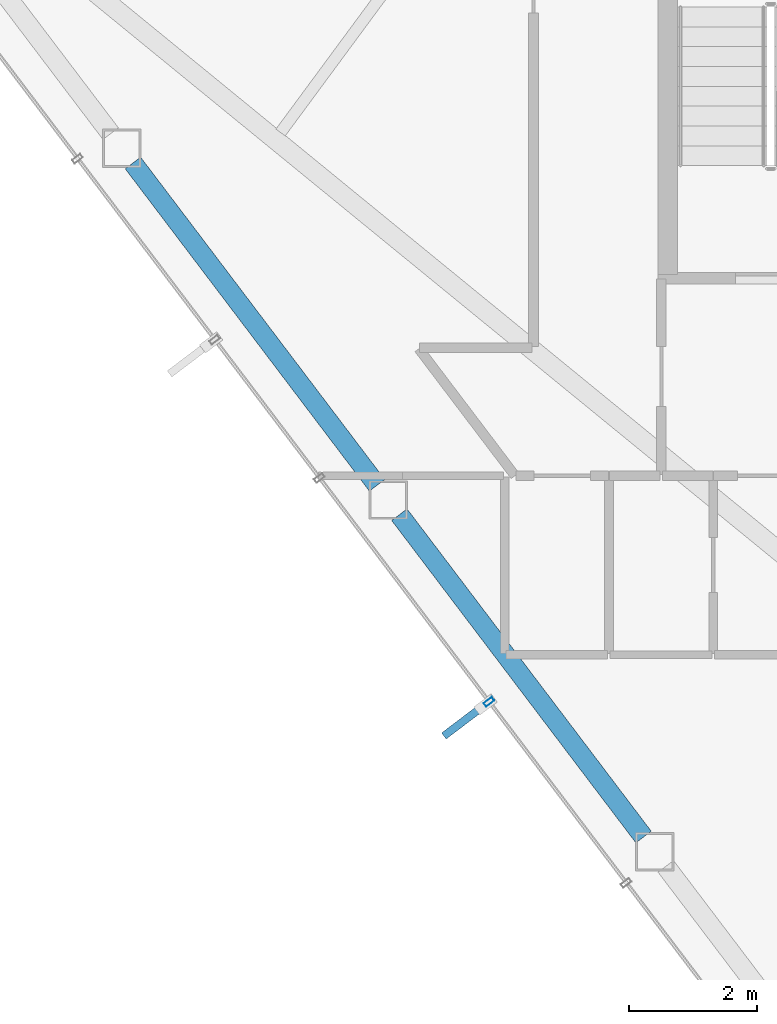
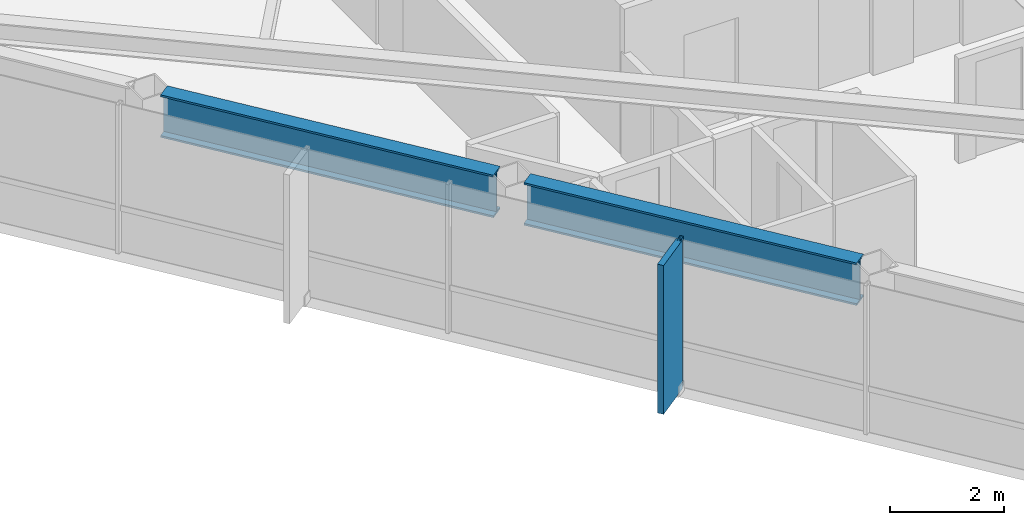
# One storey, part 3 of 28: 2 beams, 2 members, 1 element without a shape of its own.
"""IFC4 building model written with IfcOpenShell, lengths in metres."""

from ifc_helpers import new_model, si_unit, direction, frame, origin, origin_2d, place, context, subcontext, project, spatial, rectangle, hollow_rectangle, i_section, extrude, material, layer, layer_set, material_profile, profile_set, type_object, element, aggregate, save


model = new_model("IFC4")

# Units and contexts
model_context = context("Model", 3, precision=1e-05, world=origin(), true_north=direction((0.0, 1.0)))
body_context = subcontext(model_context, "Body", "Model", "MODEL_VIEW")
ifc_project = project(units=[si_unit("LENGTHUNIT", "METRE"), si_unit("AREAUNIT", "SQUARE_METRE"), si_unit("VOLUMEUNIT", "CUBIC_METRE"), si_unit("PLANEANGLEUNIT", "RADIAN"), si_unit("MASSUNIT", "GRAM", prefix="KILO")], contexts=[model_context])

# Site, building, storey
site_placement = place(None, origin())
site = spatial("IfcSite", under=ifc_project, at=site_placement, CompositionType="ELEMENT")
building_placement = place(site_placement, origin())
building = spatial("IfcBuilding", under=site, at=building_placement, Name="Zarrinselat Tower", CompositionType="ELEMENT")
storey_placement = place(building_placement, frame((0.0, 0.0, 222.360107421875)))
storey = spatial("IfcBuildingStorey", under=building, at=storey_placement, Name="L55", CompositionType="ELEMENT", Elevation=222.360107421875)

# Beams
ifc_material_1 = material(Name="Steel S460M", Category="steel")
ifc_material_profile_1 = material_profile(ifc_material_1, i_section(OverallWidth=0.302001953125, OverallDepth=0.909912109375, WebThickness=0.02099609375, FlangeThickness=0.0400390625, at=origin_2d()), Name="HEM 900")
ifc_profile_set_1 = profile_set([ifc_material_profile_1], Name="Steel S460M")
beam_type = type_object("IfcBeamType", Name="BM-HEM900", PredefinedType="BEAM", material=ifc_profile_set_1)
for number, where, z_axis, x_axis, name in (
    (1, (20.28369140625, 35.041015625, 2.724853515625), (0.603852486481, -0.797096088668, 0.0), (0.797096088668, 0.603852486481, 0.0), "L55 Perimeter Spandrel Girder SP07"),
    (2, (24.451416015625, 29.539794921875, 2.724853515625), (0.603852486481, -0.797096088668, 0.0), (0.797096088668, 0.603852486481, 0.0), "L55 Perimeter Spandrel Girder SP08"),
):
    element("IfcBeam", number, at=place(storey_placement, frame(where, z_axis=z_axis, x_axis=x_axis)), inside=storey, type_object=beam_type, Name=name, PredefinedType="BEAM", context=body_context, shape_type="SweptSolid", body=[
        extrude(i_section(OverallWidth=0.302001953125, OverallDepth=0.909912109375, WebThickness=0.02099609375, FlangeThickness=0.0400390625, at=origin_2d()), origin(), (0.0, 0.0, 1.0), 6.32568359375),
    ])

# Curtain wall, members
ifc_material_2 = material(Name="Extruded Aluminium Alloy EN AW-6063 T6", Category="aluminium")
ifc_layer = layer(ifc_material_2, 0.169921875)
ifc_layer_set = layer_set([ifc_layer], Name="Extruded Aluminium Alloy EN AW-6063 T6")
curtain_wall_type = type_object("IfcCurtainWallType", Name="CWS-RES", PredefinedType="NOTDEFINED", material=ifc_layer_set)
curtain_wall_placement = place(storey_placement, origin())
curtain_wall = element("IfcCurtainWall", 3, at=curtain_wall_placement, inside=storey, type_object=curtain_wall_type, Name="L55 Unitised Curtain Wall CW-L55-E03", PredefinedType="NOTDEFINED")
ifc_material_3 = material(Name="Extruded Aluminium Alloy EN AW-6063 T6", Category="aluminium")
ifc_material_profile_2 = material_profile(ifc_material_3, hollow_rectangle(XDim=0.070068359375, YDim=0.159912109375, WallThickness=0.00390625, at=origin_2d()), Name="RHS 160x70x4")
ifc_profile_set_2 = profile_set([ifc_material_profile_2], Name="Extruded Aluminium Alloy EN AW-6063 T6")
member_type_1 = type_object("IfcMemberType", Name="MEM-CW-MUL2", PredefinedType="MULLION", material=ifc_profile_set_2)
member_1_placement = place(storey_placement, frame((25.853515625, 26.6123046875, 0.0), z_axis=(0.0, 0.0, 1.0), x_axis=(0.603859787908, -0.797090557307, 0.0)))
member_1 = element("IfcMember", 4, at=member_1_placement, type_object=member_type_1, Name="CW-L55-E03 Mullion 5", PredefinedType="MULLION", context=body_context, shape_type="SweptSolid", body=[
    extrude(hollow_rectangle(XDim=0.070068359375, YDim=0.159912109375, WallThickness=0.00390625, at=origin_2d()), origin(), (0.0, 0.0, 1.0), 3.179931640625),
])
ifc_material_4 = material(Name="Honed Cream Travertine Stone", Category="masonry")
ifc_material_profile_3 = material_profile(ifc_material_4, rectangle(XDim=0.1201171875, YDim=0.85009765625, at=origin_2d()), Name="FIN 850x120")
ifc_profile_set_3 = profile_set([ifc_material_profile_3], Name="Honed Cream Travertine Stone")
member_type_2 = type_object("IfcMemberType", Name="MEM-STONE-FIN", PredefinedType="USERDEFINED", material=ifc_profile_set_3)
member_2_placement = place(storey_placement, frame((25.48681640625, 26.334716796875, 0.0), z_axis=(0.0, 0.0, 1.0), x_axis=(-0.603859787908, 0.797090557307, 0.0)))
member_2 = element("IfcMember", 5, at=member_2_placement, type_object=member_type_2, Name="L55 Stone Shading Fin CW-L55-E03-05", ObjectType="FIN", PredefinedType="USERDEFINED", context=body_context, shape_type="SweptSolid", body=[
    extrude(rectangle(XDim=0.1201171875, YDim=0.85009765625, at=origin_2d()), origin(), (0.0, 0.0, 1.0), 3.179931640625),
])
aggregate(curtain_wall, [member_1, member_2])

save(model, "model.ifc")
